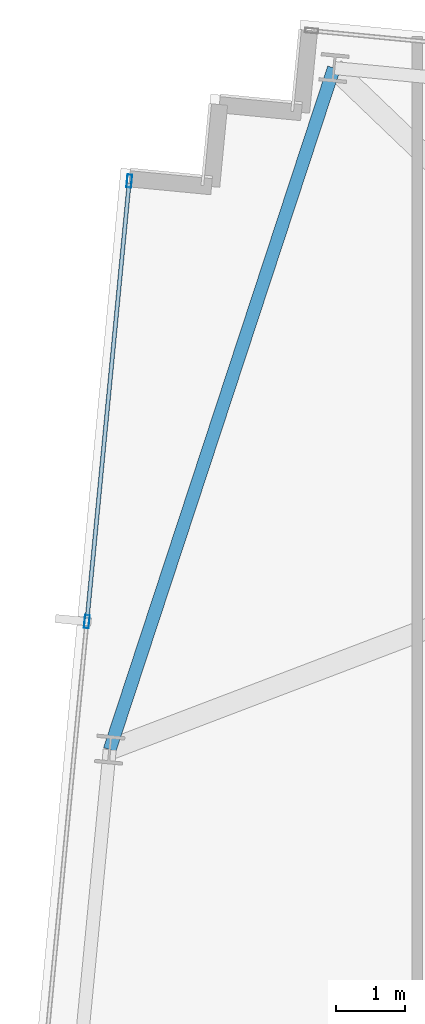
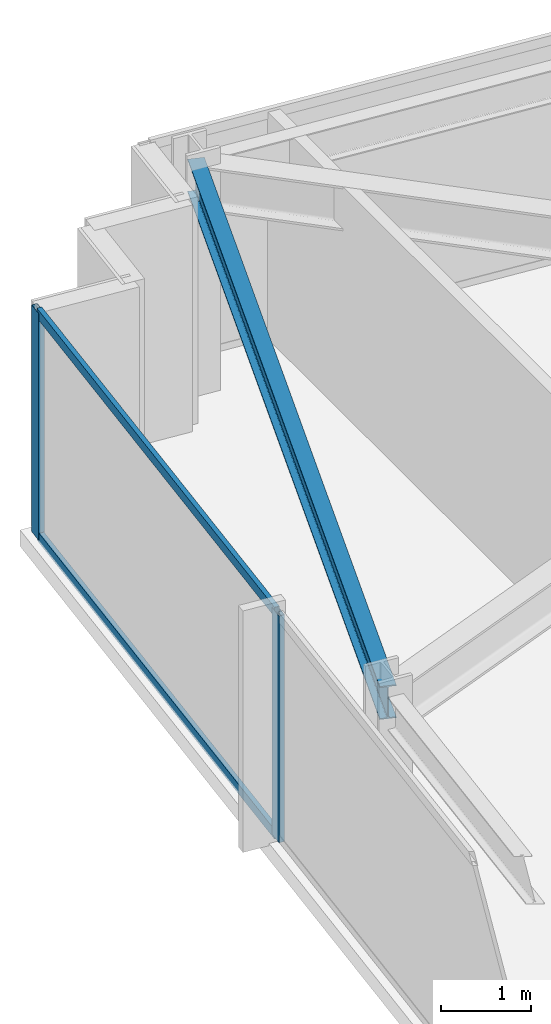
# One storey, part 21 of 37: 4 members, 1 beam, 1 element without a shape of its own.
"""IFC4 building model written with IfcOpenShell, lengths in metres."""

import ifcopenshell
import ifcopenshell.guid

model = None  # the IFC model being written
_history = None  # IfcOwnerHistory: only IFC2X3 demands one
_inside = {}  # id of a spatial element -> (the spatial element, [elements in it])
_under = {}  # id of a project, library or spatial element -> (it, [spatial elements below it])
_declared = {}  # id of a project -> (the project, [libraries it declares])
_typed = {}  # id of a type object -> (the type object, [elements of that type])
_made_of = {}  # id of a material, layer set ... -> (it, [elements and type objects made of it])


def new_model(schema):
    """Start an empty IFC model of exactly this schema.

    Asked for "IFC4X3", IfcOpenShell would pick the latest addendum, in which some entities
    have other attributes; the version numbers below select the first issue.
    IFC2X3 requires an IfcOwnerHistory on every rooted entity: one is made here for all.
    """
    global model, _history
    if schema == "IFC4X3":
        model = ifcopenshell.file(schema_version=(4, 3, 0, 0))
    else:
        model = ifcopenshell.file(schema=schema)
    _inside.clear()
    _under.clear()
    _declared.clear()
    _typed.clear()
    _made_of.clear()
    _history = None
    if model.schema == "IFC2X3":
        org = make("IfcOrganization", Name="unknown")
        user = make(
            "IfcPersonAndOrganization",
            ThePerson=make("IfcPerson", FamilyName="unknown"),
            TheOrganization=org,
        )
        app = make(
            "IfcApplication",
            ApplicationDeveloper=org,
            Version="unknown",
            ApplicationFullName="unknown",
            ApplicationIdentifier="unknown",
        )
        _history = make(
            "IfcOwnerHistory",
            OwningUser=user,
            OwningApplication=app,
            ChangeAction="ADDED",
            CreationDate=0,
        )
    return model


def make(cls, **values):
    """One entity of the class cls with the attributes given. An attribute that is None is left unset."""
    return model.create_entity(
        cls, **{name: value for name, value in values.items() if value is not None}
    )


def rooted(cls, **values):
    """An entity with a GlobalId (a new one), such as an element, a storey or a relation."""
    return make(cls, GlobalId=ifcopenshell.guid.new(), OwnerHistory=_history, **values)


def si_unit(unit_type, name, prefix=None):
    """IfcSIUnit, for example si_unit("LENGTHUNIT", "METRE", prefix="MILLI")."""
    return make("IfcSIUnit", UnitType=unit_type, Prefix=prefix, Name=name)


def assignment(units):
    """IfcUnitAssignment: the units of a project."""
    return None if units is None else make("IfcUnitAssignment", Units=units)


def point(xyz):
    """IfcCartesianPoint."""
    return None if xyz is None else make("IfcCartesianPoint", Coordinates=xyz)


def direction(xyz):
    """IfcDirection."""
    return None if xyz is None else make("IfcDirection", DirectionRatios=xyz)


def frame(location, z_axis=None, x_axis=None):
    """IfcAxis2Placement3D, a coordinate frame: its origin and axes. An axis left out is left unset."""
    return make(
        "IfcAxis2Placement3D",
        Location=point(location),
        Axis=direction(z_axis),
        RefDirection=direction(x_axis),
    )


def frame_2d(location, x_axis=None):
    """IfcAxis2Placement2D, a coordinate frame in the plane: its origin and x axis."""
    return make(
        "IfcAxis2Placement2D", Location=point(location), RefDirection=direction(x_axis)
    )


def origin():
    """The frame at (0, 0, 0) with its axes left unset."""
    return frame((0.0, 0.0, 0.0))


def origin_2d():
    """The frame at (0, 0) in the plane with its x axis left unset."""
    return frame_2d((0.0, 0.0))


def place(relative_to, where):
    """IfcLocalPlacement: puts the frame where relative to a parent placement (None: the world)."""
    return make(
        "IfcLocalPlacement", PlacementRelTo=relative_to, RelativePlacement=where
    )


def context(
    kind, dimensions, precision=None, world=None, true_north=None, identifier=None
):
    """IfcGeometricRepresentationContext, for example the 3D "Model" context."""
    return make(
        "IfcGeometricRepresentationContext",
        ContextIdentifier=identifier,
        ContextType=kind,
        CoordinateSpaceDimension=dimensions,
        Precision=precision,
        WorldCoordinateSystem=world,
        TrueNorth=true_north,
    )


def subcontext(parent, identifier, kind, view, scale=None):
    """IfcGeometricRepresentationSubContext, for example "Body" below "Model"."""
    return make(
        "IfcGeometricRepresentationSubContext",
        ContextIdentifier=identifier,
        ContextType=kind,
        ParentContext=parent,
        TargetScale=scale,
        TargetView=view,
    )


def project(units=None, contexts=None):
    """IfcProject with its units and contexts."""
    return rooted(
        "IfcProject",
        Name="project",
        RepresentationContexts=contexts,
        UnitsInContext=assignment(units),
    )


def spatial(cls, under=None, at=None, **own):
    """A site, building, storey or space (cls), placed at a placement, below another one or the project."""
    s = rooted(cls, ObjectPlacement=at, **own)
    if under is not None:
        _under.setdefault(under.id(), (under, []))[1].append(s)
    return s


def profile(cls, at=None, kind="AREA", **sizes):
    """A parametric profile (cls). Its sizes go by their IFC names, for example OverallWidth=200.0."""
    return make(cls, ProfileType=kind, Position=at, **sizes)


def hollow_rectangle(**sizes):
    """IfcRectangleHollowProfileDef."""
    return profile("IfcRectangleHollowProfileDef", **sizes)


def i_section(**sizes):
    """IfcIShapeProfileDef."""
    return profile("IfcIShapeProfileDef", **sizes)


def extrude(swept, where, along, depth):
    """IfcExtrudedAreaSolid: the profile swept, set in the frame where, extruded along a direction by depth."""
    return make(
        "IfcExtrudedAreaSolid",
        SweptArea=swept,
        Position=where,
        ExtrudedDirection=direction(along),
        Depth=depth,
    )


def shape(context_of_items, identifier, shape_type, items):
    """IfcShapeRepresentation: the items that make up one representation, for example the "Body"."""
    return make(
        "IfcShapeRepresentation",
        ContextOfItems=context_of_items,
        RepresentationIdentifier=identifier,
        RepresentationType=shape_type,
        Items=items,
    )


def material(Name=None, Category=None):
    """IfcMaterial."""
    return make("IfcMaterial", Name=Name, Category=Category)


def material_profile(
    of_material, cross_section, Name=None, Category=None, Priority=None
):
    """IfcMaterialProfile: a cross section and its material."""
    return make(
        "IfcMaterialProfile",
        Name=Name,
        Material=of_material,
        Profile=cross_section,
        Priority=Priority,
        Category=Category,
    )


def profile_set(profiles, Name=None, composite=None):
    """IfcMaterialProfileSet."""
    return make(
        "IfcMaterialProfileSet",
        Name=Name,
        MaterialProfiles=profiles,
        CompositeProfile=composite,
    )


def made_of(thing, what):
    """Note that an element or type object is made of a material, layer set ...; save() writes the relation."""
    if what is not None:
        _made_of.setdefault(what.id(), (what, []))[1].append(thing)
    return thing


def type_object(cls, material=None, **own):
    """A type object (cls), such as IfcWallType, which elements share."""
    return made_of(rooted(cls, **own), material)


def element(
    cls,
    number,
    at=None,
    inside=None,
    cuts=None,
    type_object=None,
    material=None,
    context=None,
    identifier="Body",
    shape_type=None,
    held_by="IfcProductDefinitionShape",
    body=None,
    shapes=None,
    **own,
):
    """One element of the class cls, such as IfcWall. Its Tag is "e" and its number.

    at: its placement. inside: the storey or other place that contains it. cuts: it is an
    opening in that element (IfcRelVoidsElement). A single representation is given by context,
    identifier, shape_type and body (its items); several are given by shapes. held_by: the class
    of the entity that holds the representations. save() writes the other relations.
    """
    e = rooted(cls, Tag="e%d" % number, ObjectPlacement=at, **own)
    if body is not None:
        shapes = [shape(context, identifier, shape_type, body)]
    if shapes is not None:
        e.Representation = make(held_by, Representations=shapes)
    if inside is not None:
        _inside.setdefault(inside.id(), (inside, []))[1].append(e)
    if cuts is not None:
        rooted(
            "IfcRelVoidsElement", RelatingBuildingElement=cuts, RelatedOpeningElement=e
        )
    if type_object is not None:
        _typed.setdefault(type_object.id(), (type_object, []))[1].append(e)
    return made_of(e, material)


def aggregate(whole, parts):
    """IfcRelAggregates: a whole, such as a stair, and the parts it consists of."""
    return rooted("IfcRelAggregates", RelatingObject=whole, RelatedObjects=parts)


def save(model, path):
    """Write the relations noted so far, then the file.

    IfcRelAggregates (storeys below a building ...), IfcRelContainedInSpatialStructure (elements
    in a storey), IfcRelDefinesByType, IfcRelAssociatesMaterial and IfcRelDeclares: one each for
    every whole, place, type object, material and project.
    """
    for whole, parts in _under.values():
        aggregate(whole, parts)
    for where, things in _inside.values():
        rooted(
            "IfcRelContainedInSpatialStructure",
            RelatedElements=things,
            RelatingStructure=where,
        )
    for kind, things in _typed.values():
        rooted("IfcRelDefinesByType", RelatedObjects=things, RelatingType=kind)
    for what, things in _made_of.values():
        rooted("IfcRelAssociatesMaterial", RelatedObjects=things, RelatingMaterial=what)
    for by, libraries in _declared.values():
        rooted("IfcRelDeclares", RelatingContext=by, RelatedDefinitions=libraries)
    model.write(path)


model = new_model("IFC4")

# Units and contexts
model_context = context("Model", 3, precision=1e-05, world=origin(), true_north=direction((0.0, 1.0)))
body_context = subcontext(model_context, "Body", "Model", "MODEL_VIEW")
ifc_project = project(units=[si_unit("LENGTHUNIT", "METRE"), si_unit("AREAUNIT", "SQUARE_METRE"), si_unit("VOLUMEUNIT", "CUBIC_METRE"), si_unit("PLANEANGLEUNIT", "RADIAN"), si_unit("MASSUNIT", "GRAM", prefix="KILO")], contexts=[model_context])

# Site, building, storey
site_placement = place(None, origin())
site = spatial("IfcSite", under=ifc_project, at=site_placement, CompositionType="ELEMENT")
building_placement = place(site_placement, origin())
building = spatial("IfcBuilding", under=site, at=building_placement, Name="Yelkora Congress Tower", CompositionType="ELEMENT")
storey_placement = place(building_placement, frame((0.0, 0.0, 168.800048828125)))
storey = spatial("IfcBuildingStorey", under=building, at=storey_placement, Name="L46", CompositionType="ELEMENT", Elevation=168.800048828125)

# Beam
ifc_material_1 = material(Name="Steel S355J2", Category="steel")
ifc_material_profile_1 = material_profile(ifc_material_1, i_section(OverallWidth=0.18994140625, OverallDepth=0.449951171875, WebThickness=0.009521484375, FlangeThickness=0.0146484375, FilletRadius=0.02099609375, at=origin_2d()), Name="IPE 450")
ifc_profile_set_1 = profile_set([ifc_material_profile_1], Name="Steel S355J2")
beam_type = type_object("IfcBeamType", Name="BM-SPAN-IPE450", PredefinedType="SPANDREL", material=ifc_profile_set_1)
beam_placement = place(storey_placement, frame((7.388916015625, 50.390625, 2.85498046875), z_axis=(-0.312456737339, -0.949931990877, 0.0), x_axis=(0.949931990877, -0.312456737339, 0.0)))
element("IfcBeam", 1, at=beam_placement, inside=storey, type_object=beam_type, Name="L46 Perimeter Beam 16", PredefinedType="SPANDREL", context=body_context, shape_type="SweptSolid", body=[
    extrude(i_section(OverallWidth=0.18994140625, OverallDepth=0.449951171875, WebThickness=0.009521484375, FlangeThickness=0.0146484375, FilletRadius=0.02099609375, at=origin_2d()), origin(), (0.0, 0.0, 1.0), 10.4560546875),
])

# Curtain wall, members
ifc_material_2 = material(Name="Anodised aluminium and insulated glass", Category="aluminium")
curtain_wall_type = type_object("IfcCurtainWallType", Name="CW-SYS-B3", PredefinedType="NOTDEFINED", material=ifc_material_2)
curtain_wall_placement = place(storey_placement, origin())
curtain_wall = element("IfcCurtainWall", 2, at=curtain_wall_placement, inside=storey, type_object=curtain_wall_type, Name="L46 Unitised Curtain Wall 5", PredefinedType="NOTDEFINED")
ifc_material_3 = material(Name="Anodised aluminium 6063-T6", Category="aluminium")
ifc_material_profile_2 = material_profile(ifc_material_3, hollow_rectangle(XDim=0.070068359375, YDim=0.18994140625, WallThickness=0.00390625, at=origin_2d()), Name="ALU 70x190x4")
ifc_profile_set_2 = profile_set([ifc_material_profile_2], Name="Anodised aluminium 6063-T6")
member_type_1 = type_object("IfcMemberType", Name="MEM-ML-B3", PredefinedType="MULLION", material=ifc_profile_set_2)
member_1_placement = place(storey_placement, frame((3.7890625, 42.324462890625, 0.0), z_axis=(0.0, 0.0, 1.0), x_axis=(-0.995396242473, 0.095845294465, 0.0)))
member_1 = element("IfcMember", 3, at=member_1_placement, type_object=member_type_1, Name="CW-B3 mullion 5", PredefinedType="MULLION", context=body_context, shape_type="SweptSolid", body=[
    extrude(hollow_rectangle(XDim=0.070068359375, YDim=0.18994140625, WallThickness=0.00390625, at=origin_2d()), origin(), (0.0, 0.0, 1.0), 3.079833984375),
])
member_2_placement = place(storey_placement, frame((4.4072265625, 48.74365234375, 0.0), z_axis=(0.0, 0.0, 1.0), x_axis=(-0.995396242473, 0.095845294465, 0.0)))
member_2 = element("IfcMember", 4, at=member_2_placement, type_object=member_type_1, Name="CW-B3 mullion 6", PredefinedType="MULLION", context=body_context, shape_type="SweptSolid", body=[
    extrude(hollow_rectangle(XDim=0.070068359375, YDim=0.18994140625, WallThickness=0.00390625, at=origin_2d()), origin(), (0.0, 0.0, 1.0), 3.079833984375),
])
ifc_material_profile_3 = material_profile(ifc_material_3, hollow_rectangle(XDim=0.06005859375, YDim=0.1298828125, WallThickness=0.00390625, at=origin_2d()), Name="ALU 60x130x4")
ifc_profile_set_3 = profile_set([ifc_material_profile_3], Name="Anodised aluminium 6063-T6")
member_type_2 = type_object("IfcMemberType", Name="MEM-TR-B3", PredefinedType="USERDEFINED", material=ifc_profile_set_3)
member_3_placement = place(storey_placement, frame((3.79248046875, 42.359375, 0.030029296875), z_axis=(0.095834923543, 0.99539724102, 0.0), x_axis=(-0.99539724102, 0.095834923543, 0.0)))
member_3 = element("IfcMember", 5, at=member_3_placement, type_object=member_type_2, Name="CW-B3 transom 5.1", ObjectType="TRANSOM", PredefinedType="USERDEFINED", context=body_context, shape_type="SweptSolid", body=[
    extrude(hollow_rectangle(XDim=0.06005859375, YDim=0.1298828125, WallThickness=0.00390625, at=origin_2d()), origin(), (0.0, 0.0, 1.0), 6.37890625),
])
member_4_placement = place(storey_placement, frame((3.79248046875, 42.359375, 3.050048828125), z_axis=(0.095834923543, 0.99539724102, 0.0), x_axis=(-0.99539724102, 0.095834923543, 0.0)))
member_4 = element("IfcMember", 6, at=member_4_placement, type_object=member_type_2, Name="CW-B3 transom 5.2", ObjectType="TRANSOM", PredefinedType="USERDEFINED", context=body_context, shape_type="SweptSolid", body=[
    extrude(hollow_rectangle(XDim=0.06005859375, YDim=0.1298828125, WallThickness=0.00390625, at=origin_2d()), origin(), (0.0, 0.0, 1.0), 6.37890625),
])
aggregate(curtain_wall, [member_1, member_2, member_3, member_4])

save(model, "model.ifc")
